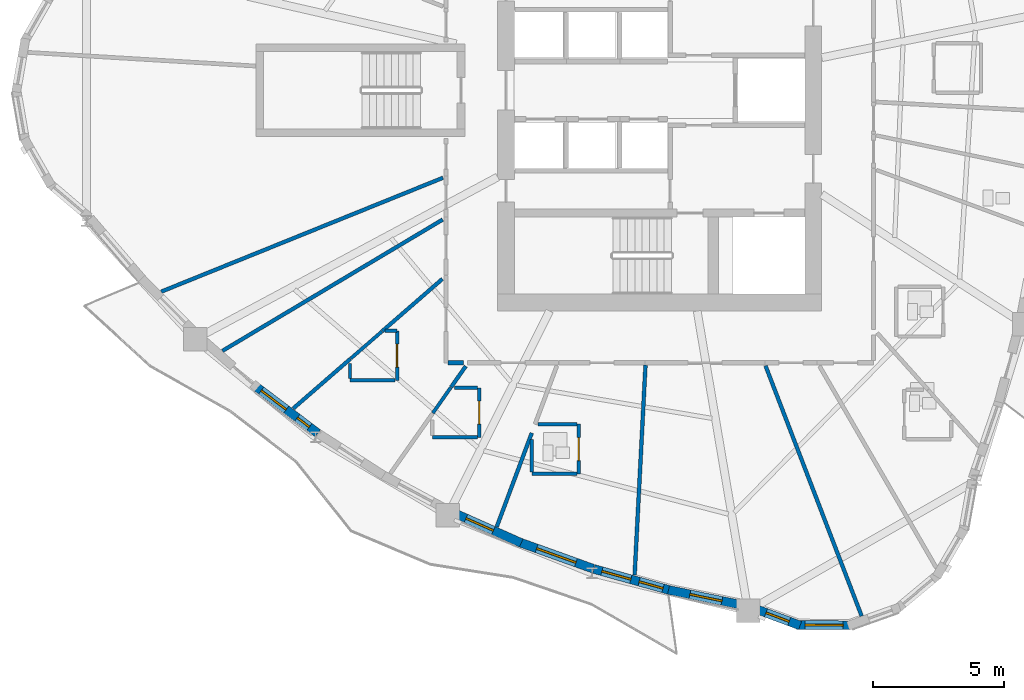
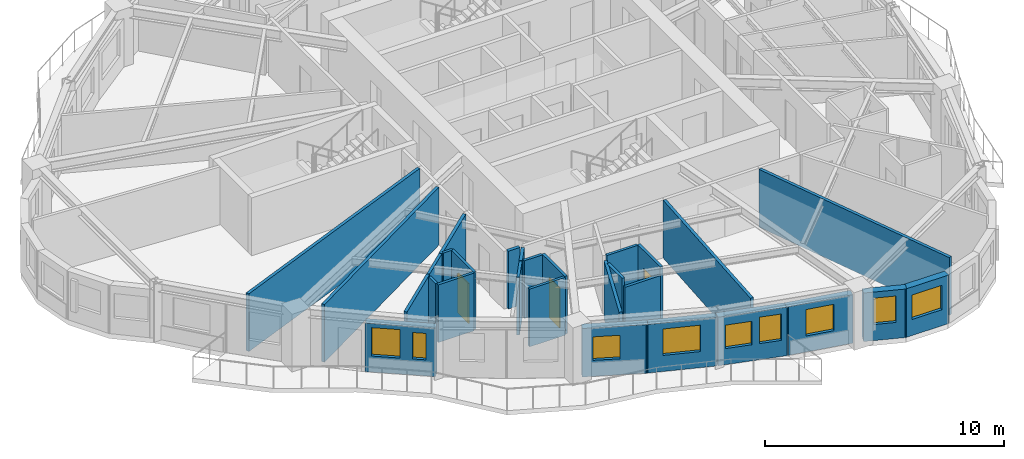
# One storey, part 3 of 13: 29 walls, 9 windows, 3 doors, 12 openings.
"""IFC4 building model written with IfcOpenShell, lengths in metres."""

from ifc_helpers import new_model, si_unit, direction, frame, frame_2d, origin, place, context, subcontext, project, spatial, rectangle, extrude, source, transform, mapped, material, layer, layer_set, type_object, element, fill, save


model = new_model("IFC4")

# Units and contexts
model_context = context("Model", 3, precision=1e-05, world=origin(), true_north=direction((0.0, 1.0)))
body_context = subcontext(model_context, "Body", "Model", "MODEL_VIEW")
ifc_project = project(units=[si_unit("LENGTHUNIT", "METRE"), si_unit("AREAUNIT", "SQUARE_METRE"), si_unit("VOLUMEUNIT", "CUBIC_METRE"), si_unit("PLANEANGLEUNIT", "RADIAN"), si_unit("MASSUNIT", "GRAM", prefix="KILO")], contexts=[model_context])

# Site, building, storey
site_placement = place(None, origin())
site = spatial("IfcSite", under=ifc_project, at=site_placement, CompositionType="ELEMENT")
building_placement = place(site_placement, origin())
building = spatial("IfcBuilding", under=site, at=building_placement, Name="Qafzar Sky-Pleat Residences", CompositionType="ELEMENT")
storey_placement = place(building_placement, frame((0.0, 0.0, 99.199951171875)))
storey = spatial("IfcBuildingStorey", under=building, at=storey_placement, Name="L29", CompositionType="ELEMENT", Elevation=99.199951171875)

# Walls
ifc_material_1 = material(Name="Acoustic gypsum plasterboard partition", Category="gypsum")
ifc_layer_1 = layer(ifc_material_1, 0.159912109375)
ifc_layer_set_1 = layer_set([ifc_layer_1], Name="Acoustic gypsum plasterboard partition")
wall_type_1 = type_object("IfcWallType", Name="PART-COR-160", PredefinedType="PARTITIONING", material=ifc_layer_set_1)
wall_1_placement = place(storey_placement, frame((22.258056640625, 15.570068359375, 0.0), z_axis=(0.0, 0.0, 1.0), x_axis=(1.0, 0.0, 0.0)))
element("IfcWall", 1, at=wall_1_placement, inside=storey, type_object=wall_type_1, Name="L29 Partition Wall PART-L29-PW-086", PredefinedType="PARTITIONING", context=body_context, shape_type="SweptSolid", body=[
    extrude(rectangle(XDim=0.5771484375, YDim=0.159912109375, at=frame_2d((0.28857421875, 0.0))), origin(), (0.0, 0.0, 1.0), 2.949951171875),
])
ifc_layer_2 = layer(ifc_material_1, 0.14501953125)
ifc_layer_set_2 = layer_set([ifc_layer_2], Name="Acoustic gypsum plasterboard partition")
wall_type_2 = type_object("IfcWallType", Name="PART-UNIT-145", PredefinedType="PARTITIONING", material=ifc_layer_set_2)
wall_2_placement = place(storey_placement, frame((11.2802734375, 18.293701171875, 0.0), z_axis=(0.0, 0.0, 1.0), x_axis=(0.927137862507, 0.374720407645, 0.0)))
element("IfcWall", 2, at=wall_2_placement, inside=storey, type_object=wall_type_2, Name="L29 Partition Wall PART-L29-PW-032", PredefinedType="PARTITIONING", context=body_context, shape_type="SweptSolid", body=[
    extrude(rectangle(XDim=11.621826171875, YDim=0.14501953125, at=frame_2d((5.81103515625, 0.0))), origin(), (0.0, 0.0, 1.0), 2.949951171875),
])
wall_3_placement = place(storey_placement, frame((34.399658203125, 15.45654296875, 0.0), z_axis=(0.0, 0.0, 1.0), x_axis=(0.358586620169, -0.933496457324, 0.0)))
element("IfcWall", 3, at=wall_3_placement, inside=storey, type_object=wall_type_2, Name="L29 Partition Wall PART-L29-PW-034", PredefinedType="PARTITIONING", context=body_context, shape_type="SweptSolid", body=[
    extrude(rectangle(XDim=10.255615234375, YDim=0.14501953125, at=frame_2d((5.1279296875, 0.0))), origin(), (0.0, 0.0, 1.0), 2.949951171875),
])
wall_4_placement = place(storey_placement, frame((13.621826171875, 16.0283203125, 0.0), z_axis=(0.0, 0.0, 1.0), x_axis=(0.85896108151, 0.512040877716, 0.0)))
element("IfcWall", 4, at=wall_4_placement, inside=storey, type_object=wall_type_2, Name="L29 Partition Wall PART-L29-PW-035", PredefinedType="PARTITIONING", context=body_context, shape_type="SweptSolid", body=[
    extrude(rectangle(XDim=9.807373046875, YDim=0.14501953125, at=frame_2d((4.90380859375, 0.0))), origin(), (0.0, 0.0, 1.0), 2.949951171875),
])
wall_5_placement = place(storey_placement, frame((29.390869140625, 7.4482421875, 0.0), z_axis=(0.0, 0.0, 1.0), x_axis=(0.051677535725, 0.998663823467, 0.0)))
element("IfcWall", 5, at=wall_5_placement, inside=storey, type_object=wall_type_2, Name="L29 Partition Wall PART-L29-PW-040", PredefinedType="PARTITIONING", context=body_context, shape_type="SweptSolid", body=[
    extrude(rectangle(XDim=8.040771484375, YDim=0.14501953125, at=frame_2d((4.0205078125, 0.0))), origin(), (0.0, 0.0, 1.0), 2.949951171875),
])
wall_6_placement = place(storey_placement, frame((24.114990234375, 9.294189453125, 0.0), z_axis=(0.0, 0.0, 1.0), x_axis=(0.349559649022, 0.936914111205, 0.0)))
element("IfcWall", 6, at=wall_6_placement, inside=storey, type_object=wall_type_2, Name="L29 Partition Wall PART-L29-PW-049", PredefinedType="PARTITIONING", context=body_context, shape_type="SweptSolid", body=[
    extrude(rectangle(XDim=3.833740234375, YDim=0.14501953125, at=frame_2d((1.9169921875, 0.0))), origin(), (0.0, 0.0, 1.0), 2.949951171875),
])
wall_7_placement = place(storey_placement, frame((19.736083984375, 16.781982421875, 0.0), z_axis=(0.0, 0.0, 1.0), x_axis=(0.754964216329, 0.655765988796, 0.0)))
element("IfcWall", 7, at=wall_7_placement, inside=storey, type_object=wall_type_2, Name="L29 Partition Wall PART-L29-PW-050", PredefinedType="PARTITIONING", context=body_context, shape_type="SweptSolid", body=[
    extrude(rectangle(XDim=3.046875, YDim=0.14501953125, at=frame_2d((1.5234375, 0.0))), origin(), (0.0, 0.0, 1.0), 2.949951171875),
])
wall_8_placement = place(storey_placement, frame((16.330322265625, 13.823974609375, 0.0), z_axis=(0.0, 0.0, 1.0), x_axis=(0.754843145593, 0.655905348013, 0.0)))
element("IfcWall", 8, at=wall_8_placement, inside=storey, type_object=wall_type_2, Name="L29 Partition Wall PART-L29-PW-053", PredefinedType="PARTITIONING", context=body_context, shape_type="SweptSolid", body=[
    extrude(rectangle(XDim=2.89697265625, YDim=0.14501953125, at=frame_2d((1.448486328125, 0.0))), origin(), (0.0, 0.0, 1.0), 2.949951171875),
])
wall_9_placement = place(storey_placement, frame((22.36962890625, 14.643310546875, 0.0), z_axis=(0.0, 0.0, 1.0), x_axis=(0.575022445487, 0.818137633401, 0.0)))
element("IfcWall", 9, at=wall_9_placement, inside=storey, type_object=wall_type_2, Name="L29 Partition Wall PART-L29-PW-081", PredefinedType="PARTITIONING", context=body_context, shape_type="SweptSolid", body=[
    extrude(rectangle(XDim=0.97607421875, YDim=0.14501953125, at=frame_2d((0.488037109375, 0.0))), origin(), (0.0, 0.0, 1.0), 2.949951171875),
])

# Wall, opening, door
ifc_material_2 = material(Name="Moisture-resistant gypsum partition", Category="gypsum")
ifc_layer_3 = layer(ifc_material_2, 0.1298828125)
ifc_layer_set_3 = layer_set([ifc_layer_3], Name="Moisture-resistant gypsum partition")
wall_type_3 = type_object("IfcWallType", Name="PART-WET-130", PredefinedType="PARTITIONING", material=ifc_layer_set_3)
wall_10_placement = place(storey_placement, frame((27.2548828125, 11.322998046875, 0.0), z_axis=(0.0, 0.0, 1.0), x_axis=(0.0, 1.0, 0.0)))
wall_10 = element("IfcWall", 10, at=wall_10_placement, inside=storey, type_object=wall_type_3, Name="L29 Partition Wall PART-L29-PW-016", PredefinedType="PARTITIONING", context=body_context, shape_type="SweptSolid", body=[
    extrude(rectangle(XDim=1.89990234375, YDim=0.1298828125, at=frame_2d((0.949951171875, 0.0))), origin(), (0.0, 0.0, 1.0), 2.949951171875),
])
opening_1_placement = place(wall_10_placement, frame((0.510009765625, 0.0, 0.0)))
opening_1 = element("IfcOpeningElement", 11, at=opening_1_placement, cuts=wall_10, Name="Opening ID-07", PredefinedType="OPENING", context=body_context, shape_type="SweptSolid", body=[
    extrude(rectangle(XDim=0.8798828125, YDim=2.050048828125, at=frame_2d((0.43994140625, 1.02490234375))), frame((0.0, 0.074951171875, 0.0), z_axis=(0.0, -1.0, 0.0), x_axis=(1.0, 0.0, 0.0)), (0.0, 0.0, 1.0), 0.14990234375),
])
ifc_material_3 = material(Name="Timber-faced fire door", Category="wood")
door_type = type_object("IfcDoorType", Name="DR-WET-880", OperationType="NOTDEFINED", PredefinedType="DOOR", material=ifc_material_3)
shared_shape_1 = source(origin(), body_context, "Body", "SweptSolid", [
    extrude(rectangle(XDim=0.8798828125, YDim=2.050048828125, at=frame_2d((0.43994140625, 1.02490234375))), frame((0.0, 0.02490234375, 0.0), z_axis=(0.0, -1.0, 0.0), x_axis=(1.0, 0.0, 0.0)), (0.0, 0.0, 1.0), 0.050048828125),
])
door_1_placement = place(opening_1_placement, origin())
door_1 = element("IfcDoor", 12, at=door_1_placement, inside=storey, type_object=door_type, Name="L29 En-suite Bathroom 1 Door", OperationType="SINGLE_SWING_LEFT", OverallHeight=2.050048828125, OverallWidth=0.8798828125, PredefinedType="DOOR", context=body_context, shape_type="MappedRepresentation", body=[
    mapped(shared_shape_1, transform((0.0, 0.0, 0.0), x_axis=(1.0, 0.0, 0.0), y_axis=(0.0, 1.0, 0.0), z_axis=(0.0, 0.0, 1.0), scale=1.0)),
])
fill(opening_1, door_1)

wall_11_placement = place(storey_placement, frame((20.302001953125, 14.89697265625, 0.0), z_axis=(0.0, 0.0, 1.0), x_axis=(0.0, 1.0, 0.0)))
wall_11 = element("IfcWall", 13, at=wall_11_placement, inside=storey, type_object=wall_type_3, Name="L29 Partition Wall PART-L29-PW-017", PredefinedType="PARTITIONING", context=body_context, shape_type="SweptSolid", body=[
    extrude(rectangle(XDim=1.900146484375, YDim=0.1298828125, at=frame_2d((0.9501953125, 0.0))), origin(), (0.0, 0.0, 1.0), 2.949951171875),
])
opening_2_placement = place(wall_11_placement, frame((0.510009765625, 0.0, 0.0)))
opening_2 = element("IfcOpeningElement", 14, at=opening_2_placement, cuts=wall_11, Name="Opening ID-07", PredefinedType="OPENING", context=body_context, shape_type="SweptSolid", body=[
    extrude(rectangle(XDim=0.8798828125, YDim=2.050048828125, at=frame_2d((0.43994140625, 1.02490234375))), frame((0.0, 0.074951171875, 0.0), z_axis=(0.0, -1.0, 0.0), x_axis=(1.0, 0.0, 0.0)), (0.0, 0.0, 1.0), 0.14990234375),
])
door_2_placement = place(opening_2_placement, origin())
door_2 = element("IfcDoor", 15, at=door_2_placement, inside=storey, type_object=door_type, Name="L29 En-suite Bathroom 13 Door", OperationType="SINGLE_SWING_RIGHT", OverallHeight=2.050048828125, OverallWidth=0.8798828125, PredefinedType="DOOR", context=body_context, shape_type="MappedRepresentation", body=[
    mapped(shared_shape_1, transform((0.0, 0.0, 0.0), x_axis=(1.0, 0.0, 0.0), y_axis=(0.0, 1.0, 0.0), z_axis=(0.0, 0.0, 1.0), scale=1.0)),
])
fill(opening_2, door_2)

wall_12_placement = place(storey_placement, frame((23.447998046875, 12.716064453125, 0.0), z_axis=(0.0, 0.0, 1.0), x_axis=(0.0, 1.0, 0.0)))
wall_12 = element("IfcWall", 16, at=wall_12_placement, inside=storey, type_object=wall_type_3, Name="L29 Partition Wall PART-L29-PW-018", PredefinedType="PARTITIONING", context=body_context, shape_type="SweptSolid", body=[
    extrude(rectangle(XDim=1.89990234375, YDim=0.1298828125, at=frame_2d((0.949951171875, 0.0))), origin(), (0.0, 0.0, 1.0), 2.949951171875),
])
opening_3_placement = place(wall_12_placement, frame((0.510009765625, 0.0, 0.0)))
opening_3 = element("IfcOpeningElement", 17, at=opening_3_placement, cuts=wall_12, Name="Opening ID-07", PredefinedType="OPENING", context=body_context, shape_type="SweptSolid", body=[
    extrude(rectangle(XDim=0.8798828125, YDim=2.050048828125, at=frame_2d((0.43994140625, 1.02490234375))), frame((0.0, 0.074951171875, 0.0), z_axis=(0.0, -1.0, 0.0), x_axis=(1.0, 0.0, 0.0)), (0.0, 0.0, 1.0), 0.14990234375),
])
door_3_placement = place(opening_3_placement, origin())
door_3 = element("IfcDoor", 18, at=door_3_placement, inside=storey, type_object=door_type, Name="L29 En-suite Bathroom 14 Door", OperationType="SINGLE_SWING_LEFT", OverallHeight=2.050048828125, OverallWidth=0.8798828125, PredefinedType="DOOR", context=body_context, shape_type="MappedRepresentation", body=[
    mapped(shared_shape_1, transform((0.0, 0.0, 0.0), x_axis=(1.0, 0.0, 0.0), y_axis=(0.0, 1.0, 0.0), z_axis=(0.0, 0.0, 1.0), scale=1.0)),
])
fill(opening_3, door_3)

# Walls
wall_13_placement = place(storey_placement, frame((25.455078125, 11.322998046875, 0.0), z_axis=(0.0, 0.0, 1.0), x_axis=(1.0, 0.0, 0.0)))
element("IfcWall", 19, at=wall_13_placement, inside=storey, type_object=wall_type_3, Name="L29 Partition Wall PART-L29-PW-063", PredefinedType="PARTITIONING", context=body_context, shape_type="SweptSolid", body=[
    extrude(rectangle(XDim=1.726806640625, YDim=0.1298828125, at=frame_2d((0.86328125, 0.0))), origin(), (0.0, 0.0, 1.0), 2.55810546875),
])
for number, where, z_axis, x_axis, name in (
    (20, (18.501953125, 14.89697265625, 0.0), (0.0, 0.0, 1.0), (1.0, 0.0, 0.0), "L29 Partition Wall PART-L29-PW-066"),
    (21, (21.64794921875, 12.716064453125, 0.0), (0.0, 0.0, 1.0), (1.0, 0.0, 0.0), "L29 Partition Wall PART-L29-PW-067"),
):
    element("IfcWall", number, at=place(storey_placement, frame(where, z_axis=z_axis, x_axis=x_axis)), inside=storey, type_object=wall_type_3, Name=name, PredefinedType="PARTITIONING", context=body_context, shape_type="SweptSolid", body=[
        extrude(rectangle(XDim=1.72705078125, YDim=0.1298828125, at=frame_2d((0.863525390625, 0.0))), origin(), (0.0, 0.0, 1.0), 2.949951171875),
    ])
wall_14_placement = place(storey_placement, frame((25.690673828125, 13.222900390625, 0.0), z_axis=(0.0, 0.0, 1.0), x_axis=(1.0, 0.0, 0.0)))
element("IfcWall", 22, at=wall_14_placement, inside=storey, type_object=wall_type_3, Name="L29 Partition Wall PART-L29-PW-071", PredefinedType="PARTITIONING", context=body_context, shape_type="SweptSolid", body=[
    extrude(rectangle(XDim=1.4912109375, YDim=0.1298828125, at=frame_2d((0.74560546875, 0.0))), origin(), (0.0, 0.0, 1.0), 2.949951171875),
])
wall_15_placement = place(storey_placement, frame((18.5283203125, 15.73388671875, 0.0), z_axis=(0.0, 0.0, 1.0), x_axis=(0.755063236967, 0.655651971843, 0.0)))
element("IfcWall", 23, at=wall_15_placement, inside=storey, type_object=wall_type_3, Name="L29 Partition Wall PART-L29-PW-073", PredefinedType="PARTITIONING", context=body_context, shape_type="SweptSolid", body=[
    extrude(rectangle(XDim=1.583984375, YDim=0.1298828125, at=frame_2d((0.7919921875, 0.0))), origin(), (0.0, 0.0, 1.0), 2.949951171875),
])
wall_16_placement = place(storey_placement, frame((25.455078125, 11.39599609375, 0.0), z_axis=(0.0, 0.0, 1.0), x_axis=(0.0, 1.0, 0.0)))
element("IfcWall", 24, at=wall_16_placement, inside=storey, type_object=wall_type_3, Name="L29 Partition Wall PART-L29-PW-075", PredefinedType="PARTITIONING", context=body_context, shape_type="SweptSolid", body=[
    extrude(rectangle(XDim=1.25, YDim=0.1298828125, at=frame_2d((0.625, 0.0))), origin(), (0.0, 0.0, 1.0), 2.949951171875),
])
wall_17_placement = place(storey_placement, frame((21.67138671875, 13.6494140625, 0.0), z_axis=(0.0, 0.0, 1.0), x_axis=(0.574868196693, 0.81824602439, 0.0)))
element("IfcWall", 25, at=wall_17_placement, inside=storey, type_object=wall_type_3, Name="L29 Partition Wall PART-L29-PW-079", PredefinedType="PARTITIONING", context=body_context, shape_type="SweptSolid", body=[
    extrude(rectangle(XDim=1.19970703125, YDim=0.1298828125, at=frame_2d((0.599853515625, 0.0))), origin(), (0.0, 0.0, 1.0), 2.949951171875),
])
wall_18_placement = place(storey_placement, frame((22.493408203125, 14.615966796875, 0.0), z_axis=(0.0, 0.0, 1.0), x_axis=(1.0, 0.0, 0.0)))
element("IfcWall", 26, at=wall_18_placement, inside=storey, type_object=wall_type_3, Name="L29 Partition Wall PART-L29-PW-082", PredefinedType="PARTITIONING", context=body_context, shape_type="SweptSolid", body=[
    extrude(rectangle(XDim=0.881591796875, YDim=0.1298828125, at=frame_2d((0.44091796875, 0.0))), origin(), (0.0, 0.0, 1.0), 2.949951171875),
])
wall_19_placement = place(storey_placement, frame((18.501953125, 14.969970703125, 0.0), z_axis=(0.0, 0.0, 1.0), x_axis=(0.0, 1.0, 0.0)))
element("IfcWall", 27, at=wall_19_placement, inside=storey, type_object=wall_type_3, Name="L29 Partition Wall PART-L29-PW-087", PredefinedType="PARTITIONING", context=body_context, shape_type="SweptSolid", body=[
    extrude(rectangle(XDim=0.58056640625, YDim=0.1298828125, at=frame_2d((0.290283203125, 0.0))), origin(), (0.0, 0.0, 1.0), 2.949951171875),
])
wall_20_placement = place(storey_placement, frame((19.843017578125, 16.797119140625, 0.0), z_axis=(0.0, 0.0, 1.0), x_axis=(1.0, 0.0, 0.0)))
element("IfcWall", 28, at=wall_20_placement, inside=storey, type_object=wall_type_3, Name="L29 Partition Wall PART-L29-PW-088", PredefinedType="PARTITIONING", context=body_context, shape_type="SweptSolid", body=[
    extrude(rectangle(XDim=0.458984375, YDim=0.1298828125, at=frame_2d((0.2294921875, 0.0))), origin(), (0.0, 0.0, 1.0), 2.949951171875),
])

# Wall, openings, windows
ifc_material_4 = material(Name="Precast concrete C40/50 with honed Riyadh limestone", Category="concrete")
ifc_layer_4 = layer(ifc_material_4, 0.340087890625)
ifc_layer_set_4 = layer_set([ifc_layer_4], Name="Precast concrete C40/50 with honed Riyadh limestone")
wall_type_4 = type_object("IfcWallType", Name="WALL-EXT-340", PredefinedType="SOLIDWALL", material=ifc_layer_set_4)
wall_21_placement = place(storey_placement, frame((14.894287109375, 14.665283203125, 0.0), z_axis=(0.0, 0.0, 1.0), x_axis=(0.798431756537, -0.602085318001, 0.0)))
wall_21 = element("IfcWall", 29, at=wall_21_placement, inside=storey, type_object=wall_type_4, Name="L29 Limestone Facade Wall 10", PredefinedType="SOLIDWALL", context=body_context, shape_type="SweptSolid", body=[
    extrude(rectangle(XDim=2.9755859375, YDim=0.340087890625, at=frame_2d((1.48779296875, 0.0))), origin(), (0.0, 0.0, 1.0), 2.47998046875),
])
opening_4_placement = place(wall_21_placement, frame((0.2626953125, 0.0, 0.820068359375)))
opening_4 = element("IfcOpeningElement", 30, at=opening_4_placement, cuts=wall_21, Name="Opening WN-05", PredefinedType="OPENING", context=body_context, shape_type="SweptSolid", body=[
    extrude(rectangle(XDim=1.199951171875, YDim=1.449951171875, at=frame_2d((0.60009765625, 0.72509765625))), frame((0.0, 0.18017578125, 0.0), z_axis=(0.0, -1.0, 0.0), x_axis=(1.0, 0.0, 0.0)), (0.0, 0.0, 1.0), 0.360107421875),
])
opening_5_placement = place(wall_21_placement, frame((1.99072265625, 0.0, 0.820068359375)))
opening_5 = element("IfcOpeningElement", 31, at=opening_5_placement, cuts=wall_21, Name="Opening WN-17", PredefinedType="OPENING", context=body_context, shape_type="SweptSolid", body=[
    extrude(rectangle(XDim=0.580078125, YDim=1.35009765625, at=frame_2d((0.2900390625, 0.675048828125))), frame((0.0, 0.18017578125, 0.0), z_axis=(0.0, -1.0, 0.0), x_axis=(1.0, 0.0, 0.0)), (0.0, 0.0, 1.0), 0.360107421875),
])
ifc_material_5 = material(Name="Solar-control low-E glass in bronze aluminium frame", Category="glass")
window_type_1 = type_object("IfcWindowType", Name="WIN-17", PartitioningType="SINGLE_PANEL", PredefinedType="WINDOW", material=ifc_material_5)
shared_shape_2 = source(origin(), body_context, "Body", "SweptSolid", [
    extrude(rectangle(XDim=0.580078125, YDim=1.35009765625, at=frame_2d((0.2900390625, 0.675048828125))), frame((0.0, 0.030029296875, 0.0), z_axis=(0.0, -1.0, 0.0), x_axis=(1.0, 0.0, 0.0)), (0.0, 0.0, 1.0), 0.06005859375),
])
window_1_placement = place(opening_5_placement, origin())
window_1 = element("IfcWindow", 32, at=window_1_placement, inside=storey, type_object=window_type_1, Name="L29 Punched Facade Window 10-2", OverallHeight=1.35009765625, OverallWidth=0.580078125, PartitioningType="SINGLE_PANEL", PredefinedType="WINDOW", context=body_context, shape_type="MappedRepresentation", body=[
    mapped(shared_shape_2, transform((0.0, 0.0, 0.0), x_axis=(1.0, 0.0, 0.0), y_axis=(0.0, 1.0, 0.0), z_axis=(0.0, 0.0, 1.0), scale=1.0)),
])
fill(opening_5, window_1)
window_type_2 = type_object("IfcWindowType", Name="WIN-05", PartitioningType="SINGLE_PANEL", PredefinedType="WINDOW", material=ifc_material_5)
shared_shape_3 = source(origin(), body_context, "Body", "SweptSolid", [
    extrude(rectangle(XDim=1.199951171875, YDim=1.449951171875, at=frame_2d((0.60009765625, 0.72509765625))), frame((0.0, 0.030029296875, 0.0), z_axis=(0.0, -1.0, 0.0), x_axis=(1.0, 0.0, 0.0)), (0.0, 0.0, 1.0), 0.06005859375),
])
window_2_placement = place(opening_4_placement, origin())
window_2 = element("IfcWindow", 33, at=window_2_placement, inside=storey, type_object=window_type_2, Name="L29 Punched Facade Window 10", OverallHeight=1.449951171875, OverallWidth=1.199951171875, PartitioningType="SINGLE_PANEL", PredefinedType="WINDOW", context=body_context, shape_type="MappedRepresentation", body=[
    mapped(shared_shape_3, transform((0.0, 0.0, 0.0), x_axis=(1.0, 0.0, 0.0), y_axis=(0.0, 1.0, 0.0), z_axis=(0.0, 0.0, 1.0), scale=1.0)),
])
fill(opening_4, window_2)

# Wall, opening, window
wall_22_placement = place(storey_placement, frame((22.525146484375, 9.802978515625, 0.0), z_axis=(0.0, 0.0, 1.0), x_axis=(0.913407022137, -0.407047432016, 0.0)))
wall_22 = element("IfcWall", 34, at=wall_22_placement, inside=storey, type_object=wall_type_4, Name="L29 Limestone Facade Wall 13", PredefinedType="SOLIDWALL", context=body_context, shape_type="SweptSolid", body=[
    extrude(rectangle(XDim=2.765625, YDim=0.340087890625, at=frame_2d((1.3828125, 0.0))), origin(), (0.0, 0.0, 1.0), 2.47998046875),
])
opening_6_placement = place(wall_22_placement, frame((0.449951171875, 0.0, 0.820068359375)))
opening_6 = element("IfcOpeningElement", 35, at=opening_6_placement, cuts=wall_22, Name="Opening WN-16", PredefinedType="OPENING", context=body_context, shape_type="SweptSolid", body=[
    extrude(rectangle(XDim=1.14990234375, YDim=1.199951171875, at=frame_2d((0.574951171875, 0.60009765625))), frame((0.0, 0.18017578125, 0.0), z_axis=(0.0, -1.0, 0.0), x_axis=(1.0, 0.0, 0.0)), (0.0, 0.0, 1.0), 0.360107421875),
])
window_type_3 = type_object("IfcWindowType", Name="WIN-16", PartitioningType="SINGLE_PANEL", PredefinedType="WINDOW", material=ifc_material_5)
shared_shape_4 = source(origin(), body_context, "Body", "SweptSolid", [
    extrude(rectangle(XDim=1.14990234375, YDim=1.199951171875, at=frame_2d((0.574951171875, 0.60009765625))), frame((0.0, 0.030029296875, 0.0), z_axis=(0.0, -1.0, 0.0), x_axis=(1.0, 0.0, 0.0)), (0.0, 0.0, 1.0), 0.06005859375),
])
window_3_placement = place(opening_6_placement, origin())
window_3 = element("IfcWindow", 36, at=window_3_placement, inside=storey, type_object=window_type_3, Name="L29 Punched Facade Window 13", OverallHeight=1.199951171875, OverallWidth=1.14990234375, PartitioningType="SINGLE_PANEL", PredefinedType="WINDOW", context=body_context, shape_type="MappedRepresentation", body=[
    mapped(shared_shape_4, transform((0.0, 0.0, 0.0), x_axis=(1.0, 0.0, 0.0), y_axis=(0.0, 1.0, 0.0), z_axis=(0.0, 0.0, 1.0), scale=1.0)),
])
fill(opening_6, window_3)

wall_23_placement = place(storey_placement, frame((24.968994140625, 8.710205078125, 0.0), z_axis=(0.0, 0.0, 1.0), x_axis=(0.94111062187, -0.338098798287, 0.0)))
wall_23 = element("IfcWall", 37, at=wall_23_placement, inside=storey, type_object=wall_type_4, Name="L29 Limestone Facade Wall 14", PredefinedType="SOLIDWALL", context=body_context, shape_type="SweptSolid", body=[
    extrude(rectangle(XDim=3.009033203125, YDim=0.340087890625, at=frame_2d((1.50439453125, 0.0))), origin(), (0.0, 0.0, 1.0), 2.47998046875),
])
opening_7_placement = place(wall_23_placement, frame((0.71435546875, 0.0, 0.820068359375)))
opening_7 = element("IfcOpeningElement", 38, at=opening_7_placement, cuts=wall_23, Name="Opening WN-09", PredefinedType="OPENING", context=body_context, shape_type="SweptSolid", body=[
    extrude(rectangle(XDim=1.60009765625, YDim=1.35009765625, at=frame_2d((0.800048828125, 0.675048828125))), frame((0.0, 0.18017578125, 0.0), z_axis=(0.0, -1.0, 0.0), x_axis=(1.0, 0.0, 0.0)), (0.0, 0.0, 1.0), 0.360107421875),
])
window_type_4 = type_object("IfcWindowType", Name="WIN-09", PartitioningType="DOUBLE_PANEL_VERTICAL", PredefinedType="WINDOW", material=ifc_material_5)
shared_shape_5 = source(origin(), body_context, "Body", "SweptSolid", [
    extrude(rectangle(XDim=1.60009765625, YDim=1.35009765625, at=frame_2d((0.800048828125, 0.675048828125))), frame((0.0, 0.030029296875, 0.0), z_axis=(0.0, -1.0, 0.0), x_axis=(1.0, 0.0, 0.0)), (0.0, 0.0, 1.0), 0.06005859375),
])
window_4_placement = place(opening_7_placement, origin())
window_4 = element("IfcWindow", 39, at=window_4_placement, inside=storey, type_object=window_type_4, Name="L29 Punched Facade Window 14", OverallHeight=1.35009765625, OverallWidth=1.60009765625, PartitioningType="SINGLE_PANEL", PredefinedType="WINDOW", context=body_context, shape_type="MappedRepresentation", body=[
    mapped(shared_shape_5, transform((0.0, 0.0, 0.0), x_axis=(1.0, 0.0, 0.0), y_axis=(0.0, 1.0, 0.0), z_axis=(0.0, 0.0, 1.0), scale=1.0)),
])
fill(opening_7, window_4)

# Wall, openings, windows
wall_24_placement = place(storey_placement, frame((27.8271484375, 7.684326171875, 0.0), z_axis=(0.0, 0.0, 1.0), x_axis=(0.963051015651, -0.269319032475, 0.0)))
wall_24 = element("IfcWall", 40, at=wall_24_placement, inside=storey, type_object=wall_type_4, Name="L29 Limestone Facade Wall 15", PredefinedType="SOLIDWALL", context=body_context, shape_type="SweptSolid", body=[
    extrude(rectangle(XDim=3.05859375, YDim=0.340087890625, at=frame_2d((1.529296875, 0.0))), origin(), (0.0, 0.0, 1.0), 2.47998046875),
])
opening_8_placement = place(wall_24_placement, frame((0.323486328125, 0.0, 0.820068359375)))
opening_8 = element("IfcOpeningElement", 41, at=opening_8_placement, cuts=wall_24, Name="Opening WN-16", PredefinedType="OPENING", context=body_context, shape_type="SweptSolid", body=[
    extrude(rectangle(XDim=1.14990234375, YDim=1.199951171875, at=frame_2d((0.574951171875, 0.60009765625))), frame((0.0, 0.18017578125, 0.0), z_axis=(0.0, -1.0, 0.0), x_axis=(1.0, 0.0, 0.0)), (0.0, 0.0, 1.0), 0.360107421875),
])
opening_9_placement = place(wall_24_placement, frame((1.802978515625, 0.0, 0.820068359375)))
opening_9 = element("IfcOpeningElement", 42, at=opening_9_placement, cuts=wall_24, Name="Opening WN-12", PredefinedType="OPENING", context=body_context, shape_type="SweptSolid", body=[
    extrude(rectangle(XDim=0.949951171875, YDim=1.35009765625, at=frame_2d((0.47509765625, 0.675048828125))), frame((0.0, 0.18017578125, 0.0), z_axis=(0.0, -1.0, 0.0), x_axis=(1.0, 0.0, 0.0)), (0.0, 0.0, 1.0), 0.360107421875),
])
window_type_5 = type_object("IfcWindowType", Name="WIN-12", PartitioningType="SINGLE_PANEL", PredefinedType="WINDOW", material=ifc_material_5)
shared_shape_6 = source(origin(), body_context, "Body", "SweptSolid", [
    extrude(rectangle(XDim=0.949951171875, YDim=1.35009765625, at=frame_2d((0.47509765625, 0.675048828125))), frame((0.0, 0.030029296875, 0.0), z_axis=(0.0, -1.0, 0.0), x_axis=(1.0, 0.0, 0.0)), (0.0, 0.0, 1.0), 0.06005859375),
])
window_5_placement = place(opening_9_placement, origin())
window_5 = element("IfcWindow", 43, at=window_5_placement, inside=storey, type_object=window_type_5, Name="L29 Punched Facade Window 15-2", OverallHeight=1.35009765625, OverallWidth=0.949951171875, PartitioningType="SINGLE_PANEL", PredefinedType="WINDOW", context=body_context, shape_type="MappedRepresentation", body=[
    mapped(shared_shape_6, transform((0.0, 0.0, 0.0), x_axis=(1.0, 0.0, 0.0), y_axis=(0.0, 1.0, 0.0), z_axis=(0.0, 0.0, 1.0), scale=1.0)),
])
fill(opening_9, window_5)
window_6_placement = place(opening_8_placement, origin())
window_6 = element("IfcWindow", 44, at=window_6_placement, inside=storey, type_object=window_type_3, Name="L29 Punched Facade Window 15", OverallHeight=1.199951171875, OverallWidth=1.14990234375, PartitioningType="SINGLE_PANEL", PredefinedType="WINDOW", context=body_context, shape_type="MappedRepresentation", body=[
    mapped(shared_shape_4, transform((0.0, 0.0, 0.0), x_axis=(1.0, 0.0, 0.0), y_axis=(0.0, 1.0, 0.0), z_axis=(0.0, 0.0, 1.0), scale=1.0)),
])
fill(opening_8, window_6)

# Wall, opening, window
wall_25_placement = place(storey_placement, frame((30.687255859375, 6.881103515625, 0.0), z_axis=(0.0, 0.0, 1.0), x_axis=(0.979429773913, -0.201785326453, 0.0)))
wall_25 = element("IfcWall", 45, at=wall_25_placement, inside=storey, type_object=wall_type_4, Name="L29 Limestone Facade Wall 16", PredefinedType="SOLIDWALL", context=body_context, shape_type="SweptSolid", body=[
    extrude(rectangle(XDim=2.913330078125, YDim=0.340087890625, at=frame_2d((1.45654296875, 0.0))), origin(), (0.0, 0.0, 1.0), 2.47998046875),
])
opening_10_placement = place(wall_25_placement, frame((0.836669921875, 0.0, 0.820068359375)))
opening_10 = element("IfcOpeningElement", 46, at=opening_10_placement, cuts=wall_25, Name="Opening WN-11", PredefinedType="OPENING", context=body_context, shape_type="SweptSolid", body=[
    extrude(rectangle(XDim=1.25, YDim=1.35009765625, at=frame_2d((0.625, 0.675048828125))), frame((0.0, 0.18017578125, 0.0), z_axis=(0.0, -1.0, 0.0), x_axis=(1.0, 0.0, 0.0)), (0.0, 0.0, 1.0), 0.360107421875),
])
window_type_6 = type_object("IfcWindowType", Name="WIN-11", PartitioningType="SINGLE_PANEL", PredefinedType="WINDOW", material=ifc_material_5)
shared_shape_7 = source(origin(), body_context, "Body", "SweptSolid", [
    extrude(rectangle(XDim=1.25, YDim=1.35009765625, at=frame_2d((0.625, 0.675048828125))), frame((0.0, 0.030029296875, 0.0), z_axis=(0.0, -1.0, 0.0), x_axis=(1.0, 0.0, 0.0)), (0.0, 0.0, 1.0), 0.06005859375),
])
window_7_placement = place(opening_10_placement, origin())
window_7 = element("IfcWindow", 47, at=window_7_placement, inside=storey, type_object=window_type_6, Name="L29 Punched Facade Window 16", OverallHeight=1.35009765625, OverallWidth=1.25, PartitioningType="SINGLE_PANEL", PredefinedType="WINDOW", context=body_context, shape_type="MappedRepresentation", body=[
    mapped(shared_shape_7, transform((0.0, 0.0, 0.0), x_axis=(1.0, 0.0, 0.0), y_axis=(0.0, 1.0, 0.0), z_axis=(0.0, 0.0, 1.0), scale=1.0)),
])
fill(opening_10, window_7)

wall_26_placement = place(storey_placement, frame((34.006591796875, 6.1591796875, 0.0), z_axis=(0.0, 0.0, 1.0), x_axis=(0.936815884802, -0.349822809409, 0.0)))
wall_26 = element("IfcWall", 48, at=wall_26_placement, inside=storey, type_object=wall_type_4, Name="L29 Limestone Facade Wall 17", PredefinedType="SOLIDWALL", context=body_context, shape_type="SweptSolid", body=[
    extrude(rectangle(XDim=1.831298828125, YDim=0.340087890625, at=frame_2d((0.91552734375, 0.0))), origin(), (0.0, 0.0, 1.0), 2.47998046875),
])
opening_11_placement = place(wall_26_placement, frame((0.435546875, 0.0, 0.820068359375)))
opening_11 = element("IfcOpeningElement", 49, at=opening_11_placement, cuts=wall_26, Name="Opening WN-12", PredefinedType="OPENING", context=body_context, shape_type="SweptSolid", body=[
    extrude(rectangle(XDim=0.949951171875, YDim=1.35009765625, at=frame_2d((0.47509765625, 0.675048828125))), frame((0.0, 0.18017578125, 0.0), z_axis=(0.0, -1.0, 0.0), x_axis=(1.0, 0.0, 0.0)), (0.0, 0.0, 1.0), 0.360107421875),
])
window_8_placement = place(opening_11_placement, origin())
window_8 = element("IfcWindow", 50, at=window_8_placement, inside=storey, type_object=window_type_5, Name="L29 Punched Facade Window 17", OverallHeight=1.35009765625, OverallWidth=0.949951171875, PartitioningType="SINGLE_PANEL", PredefinedType="WINDOW", context=body_context, shape_type="MappedRepresentation", body=[
    mapped(shared_shape_6, transform((0.0, 0.0, 0.0), x_axis=(1.0, 0.0, 0.0), y_axis=(0.0, 1.0, 0.0), z_axis=(0.0, 0.0, 1.0), scale=1.0)),
])
fill(opening_11, window_8)

wall_27_placement = place(storey_placement, frame((35.590087890625, 5.54296875, 0.0), z_axis=(0.0, 0.0, 1.0), x_axis=(0.999976456891, -0.00686189939, 0.0)))
wall_27 = element("IfcWall", 51, at=wall_27_placement, inside=storey, type_object=wall_type_4, Name="L29 Limestone Facade Wall 18", PredefinedType="SOLIDWALL", context=body_context, shape_type="SweptSolid", body=[
    extrude(rectangle(XDim=2.09912109375, YDim=0.340087890625, at=frame_2d((1.049560546875, 0.0))), origin(), (0.0, 0.0, 1.0), 2.47998046875),
])
opening_12_placement = place(wall_27_placement, frame((0.324462890625, 0.0, 0.820068359375)))
opening_12 = element("IfcOpeningElement", 52, at=opening_12_placement, cuts=wall_27, Name="Opening WN-15", PredefinedType="OPENING", context=body_context, shape_type="SweptSolid", body=[
    extrude(rectangle(XDim=1.449951171875, YDim=1.25, at=frame_2d((0.72509765625, 0.625))), frame((0.0, 0.18017578125, 0.0), z_axis=(0.0, -1.0, 0.0), x_axis=(1.0, 0.0, 0.0)), (0.0, 0.0, 1.0), 0.360107421875),
])
window_type_7 = type_object("IfcWindowType", Name="WIN-15", PartitioningType="SINGLE_PANEL", PredefinedType="WINDOW", material=ifc_material_5)
shared_shape_8 = source(origin(), body_context, "Body", "SweptSolid", [
    extrude(rectangle(XDim=1.449951171875, YDim=1.25, at=frame_2d((0.72509765625, 0.625))), frame((0.0, 0.030029296875, 0.0), z_axis=(0.0, -1.0, 0.0), x_axis=(1.0, 0.0, 0.0)), (0.0, 0.0, 1.0), 0.06005859375),
])
window_9_placement = place(opening_12_placement, origin())
window_9 = element("IfcWindow", 53, at=window_9_placement, inside=storey, type_object=window_type_7, Name="L29 Punched Facade Window 18", OverallHeight=1.25, OverallWidth=1.449951171875, PartitioningType="SINGLE_PANEL", PredefinedType="WINDOW", context=body_context, shape_type="MappedRepresentation", body=[
    mapped(shared_shape_8, transform((0.0, 0.0, 0.0), x_axis=(1.0, 0.0, 0.0), y_axis=(0.0, 1.0, 0.0), z_axis=(0.0, 0.0, 1.0), scale=1.0)),
])
fill(opening_12, window_9)

save(model, "model.ifc")
